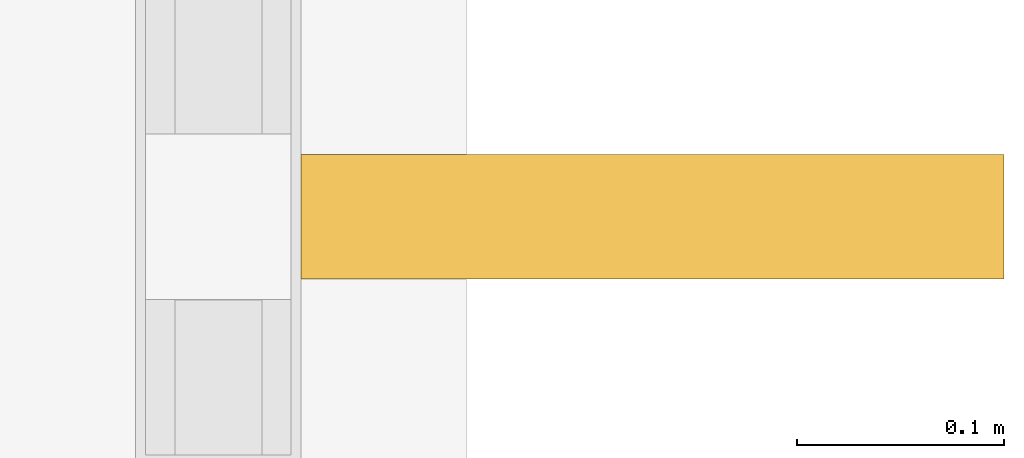
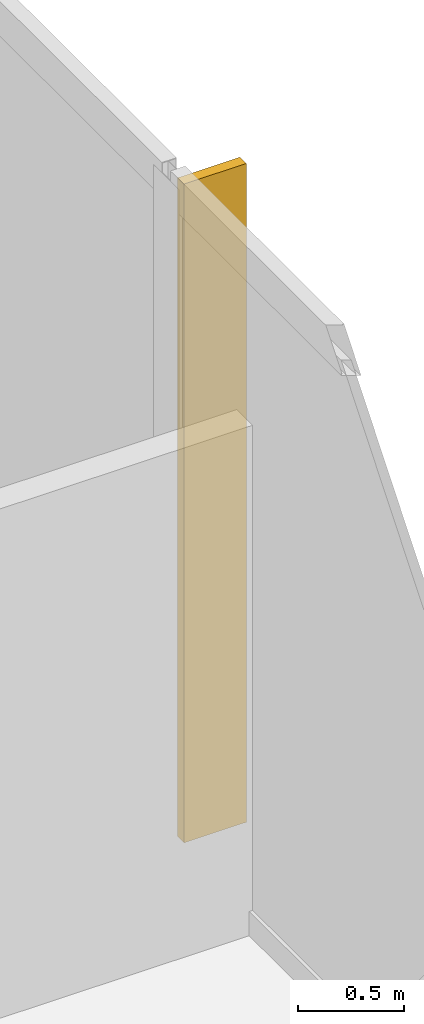
# One storey, part 31 of 31: 1 shading device.
"""IFC4 building model written with IfcOpenShell, lengths in metres."""

from ifc_helpers import new_model, si_unit, direction, frame, origin, place, context, subcontext, project, spatial, polyline, outline, extrude, material, layer, layer_set, type_object, element, save


model = new_model("IFC4")

# Units and contexts
model_context = context("Model", 3, precision=1e-05, world=origin(), true_north=direction((0.0, 1.0)))
body_context = subcontext(model_context, "Body", "Model", "MODEL_VIEW")
ifc_project = project(units=[si_unit("LENGTHUNIT", "METRE"), si_unit("AREAUNIT", "SQUARE_METRE"), si_unit("VOLUMEUNIT", "CUBIC_METRE"), si_unit("PLANEANGLEUNIT", "RADIAN"), si_unit("MASSUNIT", "GRAM", prefix="KILO")], contexts=[model_context])

# Site, building, storey
site_placement = place(None, origin())
site = spatial("IfcSite", under=ifc_project, at=site_placement, CompositionType="ELEMENT")
building_placement = place(site_placement, origin())
building = spatial("IfcBuilding", under=site, at=building_placement, Name="Cobrela Telecom Tower", CompositionType="ELEMENT")
storey_placement = place(building_placement, frame((0.0, 0.0, 9.449951171875)))
storey = spatial("IfcBuildingStorey", under=building, at=storey_placement, Name="L02", CompositionType="ELEMENT", Elevation=9.449951171875)

# Shading device
ifc_material = material(Name="Anodized Bronze Aluminium 6063-T6", Category="aluminium")
ifc_layer = layer(ifc_material, 0.06005859375)
ifc_layer_set = layer_set([ifc_layer], Name="Anodized Bronze Aluminium 6063-T6")
shading_device_type = type_object("IfcShadingDeviceType", Name="SHD-FIN-BRZ", PredefinedType="USERDEFINED", material=ifc_layer_set)
shading_device_placement = place(storey_placement, frame((0.0, 0.0, 0.050048828125)))
element("IfcShadingDevice", 1, at=shading_device_placement, inside=storey, type_object=shading_device_type, Name="L02 Anodized Bronze Solar Fin 04", ObjectType="SUNSHADE", PredefinedType="USERDEFINED", context=body_context, shape_type="SweptSolid", body=[
    extrude(outline(polyline([(86.320068359375, 18.2900390625), (86.320068359375, 18.22998046875), (86.659912109375, 18.22998046875), (86.659912109375, 18.2900390625), (86.320068359375, 18.2900390625)])), origin(), (0.0, 0.0, 1.0), 3.800048828125),
])

save(model, "model.ifc")
